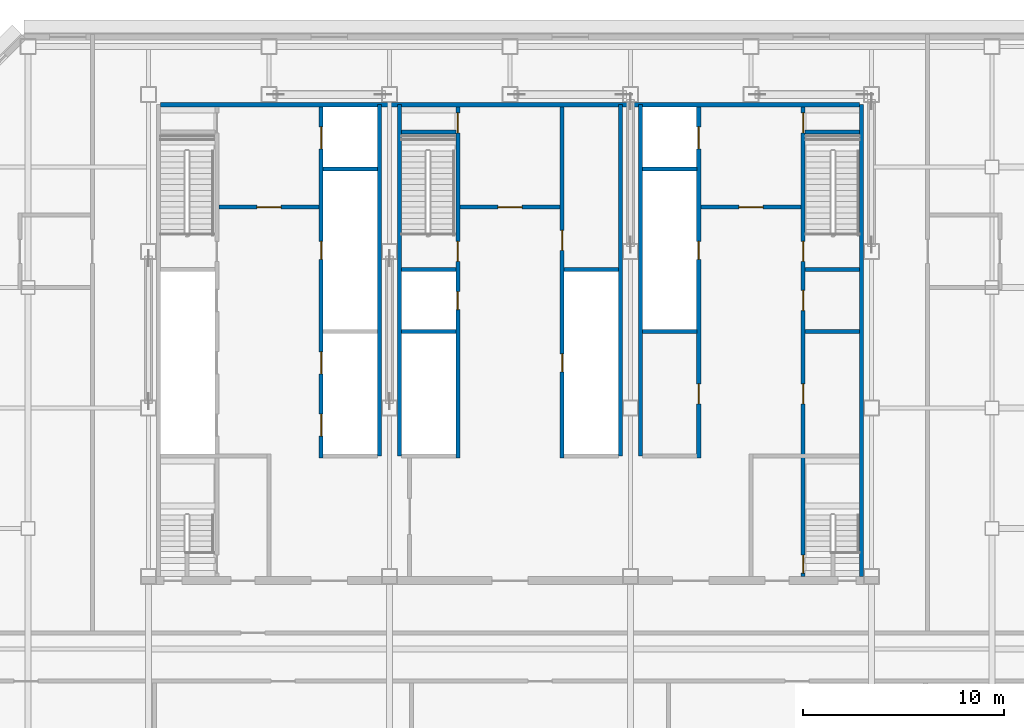
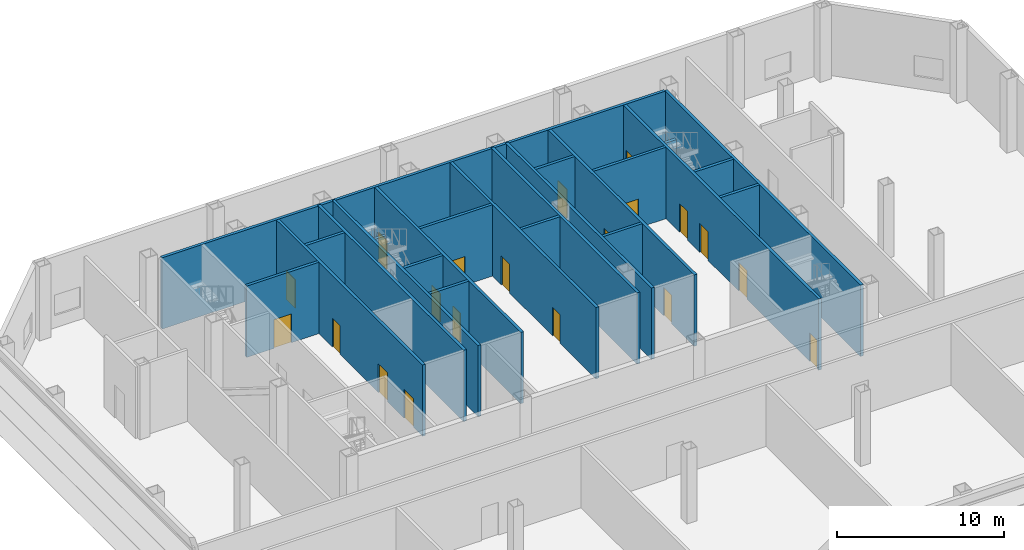
# One storey, part 5 of 10: 24 walls, 20 doors, 20 openings.
"""IFC4 building model written with IfcOpenShell, lengths in metres."""

from ifc_helpers import new_model, si_unit, direction, frame, frame_2d, origin, place, context, subcontext, project, spatial, rectangle, extrude, material, layer, layer_set, type_object, element, fill, save


model = new_model("IFC4")

# Units and contexts
model_context = context("Model", 3, precision=1e-05, world=origin(), true_north=direction((0.0, 1.0)))
body_context = subcontext(model_context, "Body", "Model", "MODEL_VIEW")
ifc_project = project(units=[si_unit("LENGTHUNIT", "METRE"), si_unit("AREAUNIT", "SQUARE_METRE"), si_unit("VOLUMEUNIT", "CUBIC_METRE"), si_unit("PLANEANGLEUNIT", "RADIAN"), si_unit("MASSUNIT", "GRAM", prefix="KILO")], contexts=[model_context])

# Site, building, storey
site_placement = place(None, origin())
site = spatial("IfcSite", under=ifc_project, at=site_placement, CompositionType="ELEMENT")
building_placement = place(site_placement, origin())
building = spatial("IfcBuilding", under=site, at=building_placement, Name="Sorahane Residences", CompositionType="ELEMENT")
storey_placement = place(building_placement, frame((0.0, 0.0, 138.39990234375)))
storey = spatial("IfcBuildingStorey", under=building, at=storey_placement, Name="L31", CompositionType="ELEMENT", Elevation=138.39990234375)

# Walls
ifc_material_1 = material(Name="Concrete C30", Category="concrete")
ifc_layer_1 = layer(ifc_material_1, 0.199951171875)
ifc_layer_set_1 = layer_set([ifc_layer_1], Name="Core face wall 200 EI 180")
wall_type_1 = type_object("IfcWallType", Name="Core face wall 200 EI 180", PredefinedType="SOLIDWALL", material=ifc_layer_set_1)
wall_1_placement = place(storey_placement, frame((41.5, 21.60009765625, 0.0), z_axis=(0.0, 0.0, 1.0), x_axis=(0.0, 1.0, 0.0)))
element("IfcWall", 1, at=wall_1_placement, inside=storey, type_object=wall_type_1, Name="L31 core face wall", PredefinedType="SOLIDWALL", context=body_context, shape_type="SweptSolid", body=[
    extrude(rectangle(XDim=23.5, YDim=0.199951171875, at=frame_2d((11.75, 0.0))), origin(), (0.0, 0.0, 1.0), 5.22021484375),
])
wall_2_placement = place(storey_placement, frame((6.60009765625, 45.10009765625, 0.0), z_axis=(0.0, 0.0, 1.0), x_axis=(1.0, 0.0, 0.0)))
element("IfcWall", 2, at=wall_2_placement, inside=storey, type_object=wall_type_1, Name="L31 core face wall", PredefinedType="SOLIDWALL", context=body_context, shape_type="SweptSolid", body=[
    extrude(rectangle(XDim=34.7998046875, YDim=0.199951171875, at=frame_2d((17.39990234375, 0.0))), origin(), (0.0, 0.0, 1.0), 5.22021484375),
])
for number, where, z_axis, x_axis, name in (
    (3, (17.5, 27.60009765625, 0.0), (0.0, 0.0, 1.0), (0.0, 1.0, 0.0), "L31 core face wall"),
    (4, (18.5, 27.60009765625, 0.0), (0.0, 0.0, 1.0), (0.0, 1.0, 0.0), "L31 core face wall"),
    (5, (29.5, 27.60009765625, 0.0), (0.0, 0.0, 1.0), (0.0, 1.0, 0.0), "L31 core face wall"),
    (6, (30.5, 27.60009765625, 0.0), (0.0, 0.0, 1.0), (0.0, 1.0, 0.0), "L31 core face wall"),
):
    element("IfcWall", number, at=place(storey_placement, frame(where, z_axis=z_axis, x_axis=x_axis)), inside=storey, type_object=wall_type_1, Name=name, PredefinedType="SOLIDWALL", context=body_context, shape_type="SweptSolid", body=[
        extrude(rectangle(XDim=17.5, YDim=0.199951171875, at=frame_2d((8.75, 0.0))), origin(), (0.0, 0.0, 1.0), 5.22021484375),
    ])

# Wall, opening, door
ifc_material_2 = material(Name="Concrete C30", Category="concrete")
ifc_layer_2 = layer(ifc_material_2, 0.199951171875)
ifc_layer_set_2 = layer_set([ifc_layer_2], Name="Front room wall 200 EI 120")
wall_type_2 = type_object("IfcWallType", Name="Front room wall 200 EI 120", PredefinedType="PARTITIONING", material=ifc_layer_set_2)
wall_3_placement = place(storey_placement, frame((21.5, 40.0, 0.0), z_axis=(0.0, 0.0, 1.0), x_axis=(1.0, 0.0, 0.0)))
wall_3 = element("IfcWall", 7, at=wall_3_placement, inside=storey, type_object=wall_type_2, Name="L31 front room wall", PredefinedType="PARTITIONING", context=body_context, shape_type="SweptSolid", body=[
    extrude(rectangle(XDim=5.0, YDim=0.199951171875, at=frame_2d((2.5, 0.0))), origin(), (0.0, 0.0, 1.0), 5.22021484375),
])
opening_1_placement = place(wall_3_placement, frame((1.89990234375, 0.0, 0.0)))
opening_1 = element("IfcOpeningElement", 8, at=opening_1_placement, cuts=wall_3, Name="Opening L31-C08", PredefinedType="OPENING", context=body_context, shape_type="SweptSolid", body=[
    extrude(rectangle(XDim=1.199951171875, YDim=2.10009765625, at=frame_2d((0.60009765625, 1.050048828125))), frame((0.0, 0.10986328125, 0.0), z_axis=(0.0, -1.0, 0.0), x_axis=(1.0, 0.0, 0.0)), (0.0, 0.0, 1.0), 0.219970703125),
])
ifc_material_3 = material(Name="Steel", Category="steel")
door_type_1 = type_object("IfcDoorType", Name="Front room door 1200x2100 FD120", OperationType="NOTDEFINED", PredefinedType="DOOR", material=ifc_material_3)
door_1_placement = place(opening_1_placement, frame((1.199951171875, 0.0, 0.0), z_axis=(0.0, 0.0, 1.0), x_axis=(-1.0, 0.0, 0.0)))
door_1 = element("IfcDoor", 9, at=door_1_placement, inside=storey, type_object=door_type_1, Name="Front room door Stair S3 vestibule L31", OperationType="DOUBLE_DOOR_SINGLE_SWING", OverallHeight=2.10009765625, OverallWidth=1.199951171875, PredefinedType="DOOR", context=body_context, shape_type="SweptSolid", body=[
    extrude(rectangle(XDim=1.199951171875, YDim=2.10009765625, at=frame_2d((0.60009765625, 1.050048828125))), frame((0.0, 0.02490234375, 0.0), z_axis=(0.0, -1.0, 0.0), x_axis=(1.0, 0.0, 0.0)), (0.0, 0.0, 1.0), 0.050048828125),
])
fill(opening_1, door_1)

wall_4_placement = place(storey_placement, frame((33.5, 40.0, 0.0), z_axis=(0.0, 0.0, 1.0), x_axis=(1.0, 0.0, 0.0)))
wall_4 = element("IfcWall", 10, at=wall_4_placement, inside=storey, type_object=wall_type_2, Name="L31 front room wall", PredefinedType="PARTITIONING", context=body_context, shape_type="SweptSolid", body=[
    extrude(rectangle(XDim=5.0, YDim=0.199951171875, at=frame_2d((2.5, 0.0))), origin(), (0.0, 0.0, 1.0), 5.22021484375),
])
opening_2_placement = place(wall_4_placement, frame((1.89990234375, 0.0, 0.0)))
opening_2 = element("IfcOpeningElement", 11, at=opening_2_placement, cuts=wall_4, Name="Opening L31-C09", PredefinedType="OPENING", context=body_context, shape_type="SweptSolid", body=[
    extrude(rectangle(XDim=1.199951171875, YDim=2.10009765625, at=frame_2d((0.60009765625, 1.050048828125))), frame((0.0, 0.10986328125, 0.0), z_axis=(0.0, -1.0, 0.0), x_axis=(1.0, 0.0, 0.0)), (0.0, 0.0, 1.0), 0.219970703125),
])
door_2_placement = place(opening_2_placement, frame((1.199951171875, 0.0, 0.0), z_axis=(0.0, 0.0, 1.0), x_axis=(-1.0, 0.0, 0.0)))
door_2 = element("IfcDoor", 12, at=door_2_placement, inside=storey, type_object=door_type_1, Name="Front room door Firefighting lobby FF2 front room L31", OperationType="DOUBLE_DOOR_SINGLE_SWING", OverallHeight=2.10009765625, OverallWidth=1.199951171875, PredefinedType="DOOR", context=body_context, shape_type="SweptSolid", body=[
    extrude(rectangle(XDim=1.199951171875, YDim=2.10009765625, at=frame_2d((0.60009765625, 1.050048828125))), frame((0.0, 0.02490234375, 0.0), z_axis=(0.0, -1.0, 0.0), x_axis=(1.0, 0.0, 0.0)), (0.0, 0.0, 1.0), 0.050048828125),
])
fill(opening_2, door_2)

wall_5_placement = place(storey_placement, frame((9.5, 40.0, 0.0), z_axis=(0.0, 0.0, 1.0), x_axis=(1.0, 0.0, 0.0)))
wall_5 = element("IfcWall", 13, at=wall_5_placement, inside=storey, type_object=wall_type_2, Name="L31 front room wall", PredefinedType="PARTITIONING", context=body_context, shape_type="SweptSolid", body=[
    extrude(rectangle(XDim=5.0, YDim=0.199951171875, at=frame_2d((2.5, 0.0))), origin(), (0.0, 0.0, 1.0), 5.22021484375),
])
opening_3_placement = place(wall_5_placement, frame((1.89990234375, 0.0, 0.0)))
opening_3 = element("IfcOpeningElement", 14, at=opening_3_placement, cuts=wall_5, Name="Opening L31-C07", PredefinedType="OPENING", context=body_context, shape_type="SweptSolid", body=[
    extrude(rectangle(XDim=1.199951171875, YDim=2.10009765625, at=frame_2d((0.60009765625, 1.050048828125))), frame((0.0, 0.10986328125, 0.0), z_axis=(0.0, -1.0, 0.0), x_axis=(1.0, 0.0, 0.0)), (0.0, 0.0, 1.0), 0.219970703125),
])
door_3_placement = place(opening_3_placement, frame((1.199951171875, 0.0, 0.0), z_axis=(0.0, 0.0, 1.0), x_axis=(-1.0, 0.0, 0.0)))
door_3 = element("IfcDoor", 15, at=door_3_placement, inside=storey, type_object=door_type_1, Name="Front room door Firefighting lobby FF1 front room L31", OperationType="DOUBLE_DOOR_SINGLE_SWING", OverallHeight=2.10009765625, OverallWidth=1.199951171875, PredefinedType="DOOR", context=body_context, shape_type="SweptSolid", body=[
    extrude(rectangle(XDim=1.199951171875, YDim=2.10009765625, at=frame_2d((0.60009765625, 1.050048828125))), frame((0.0, 0.02490234375, 0.0), z_axis=(0.0, -1.0, 0.0), x_axis=(1.0, 0.0, 0.0)), (0.0, 0.0, 1.0), 0.050048828125),
])
fill(opening_3, door_3)

# Wall, openings, doors
ifc_material_4 = material(Name="Concrete C30", Category="concrete")
ifc_layer_3 = layer(ifc_material_4, 0.199951171875)
ifc_layer_set_3 = layer_set([ifc_layer_3], Name="Lift shaft wall 200 EI 120")
wall_type_3 = type_object("IfcWallType", Name="Lift shaft wall 200 EI 120", PredefinedType="SOLIDWALL", material=ifc_layer_set_3)
wall_6_placement = place(storey_placement, frame((14.60009765625, 27.5, 0.0), z_axis=(0.0, 0.0, 1.0), x_axis=(0.0, 1.0, 0.0)))
wall_6 = element("IfcWall", 16, at=wall_6_placement, inside=storey, type_object=wall_type_3, Name="L31 lift shaft wall", PredefinedType="SOLIDWALL", context=body_context, shape_type="SweptSolid", body=[
    extrude(rectangle(XDim=17.5, YDim=0.199951171875, at=frame_2d((8.75, 0.0))), origin(), (0.0, 0.0, 1.0), 5.22021484375),
])
opening_4_placement = place(wall_6_placement, frame((1.10009765625, 0.0, 0.0)))
opening_4 = element("IfcOpeningElement", 17, at=opening_4_placement, cuts=wall_6, Name="Opening L31-C11", PredefinedType="OPENING", context=body_context, shape_type="SweptSolid", body=[
    extrude(rectangle(XDim=1.10009765625, YDim=2.10009765625, at=frame_2d((0.550048828125, 1.050048828125))), frame((0.0, 0.10986328125, 0.0), z_axis=(0.0, -1.0, 0.0), x_axis=(1.0, 0.0, 0.0)), (0.0, 0.0, 1.0), 0.219970703125),
])
opening_5_placement = place(wall_6_placement, frame((4.199951171875, 0.0, 0.0)))
opening_5 = element("IfcOpeningElement", 18, at=opening_5_placement, cuts=wall_6, Name="Opening L31-C12", PredefinedType="OPENING", context=body_context, shape_type="SweptSolid", body=[
    extrude(rectangle(XDim=1.10009765625, YDim=2.10009765625, at=frame_2d((0.550048828125, 1.050048828125))), frame((0.0, 0.10986328125, 0.0), z_axis=(0.0, -1.0, 0.0), x_axis=(1.0, 0.0, 0.0)), (0.0, 0.0, 1.0), 0.219970703125),
])
opening_6_placement = place(wall_6_placement, frame((15.39990234375, 0.0, 0.0)))
opening_6 = element("IfcOpeningElement", 19, at=opening_6_placement, cuts=wall_6, Name="Opening L31-C13", PredefinedType="OPENING", context=body_context, shape_type="SweptSolid", body=[
    extrude(rectangle(XDim=1.10009765625, YDim=2.10009765625, at=frame_2d((0.550048828125, 1.050048828125))), frame((0.0, 0.10986328125, 0.0), z_axis=(0.0, -1.0, 0.0), x_axis=(1.0, 0.0, 0.0)), (0.0, 0.0, 1.0), 0.219970703125),
])
opening_7_placement = place(wall_6_placement, frame((9.89990234375, 0.0, 0.0)))
opening_7 = element("IfcOpeningElement", 20, at=opening_7_placement, cuts=wall_6, Name="Opening L31-C30", PredefinedType="OPENING", context=body_context, shape_type="SweptSolid", body=[
    extrude(rectangle(XDim=0.89990234375, YDim=2.10009765625, at=frame_2d((0.449951171875, 1.050048828125))), frame((0.0, 0.10986328125, 0.0), z_axis=(0.0, -1.0, 0.0), x_axis=(1.0, 0.0, 0.0)), (0.0, 0.0, 1.0), 0.219970703125),
])
ifc_material_5 = material(Name="Aluminium and stainless steel", Category="steel")
door_type_2 = type_object("IfcDoorType", Name="Lift landing door 1100x2100 E 60", OperationType="NOTDEFINED", PredefinedType="DOOR", material=ifc_material_5)
door_4_placement = place(opening_4_placement, origin())
door_4 = element("IfcDoor", 21, at=door_4_placement, inside=storey, type_object=door_type_2, Name="Lift landing door LR4 L31", OperationType="DOUBLE_DOOR_SLIDING", OverallHeight=2.10009765625, OverallWidth=1.10009765625, PredefinedType="DOOR", context=body_context, shape_type="SweptSolid", body=[
    extrude(rectangle(XDim=1.10009765625, YDim=2.10009765625, at=frame_2d((0.550048828125, 1.050048828125))), frame((0.0, 0.02490234375, 0.0), z_axis=(0.0, -1.0, 0.0), x_axis=(1.0, 0.0, 0.0)), (0.0, 0.0, 1.0), 0.050048828125),
])
fill(opening_4, door_4)
door_5_placement = place(opening_5_placement, origin())
door_5 = element("IfcDoor", 22, at=door_5_placement, inside=storey, type_object=door_type_2, Name="Lift landing door LR5 L31", OperationType="DOUBLE_DOOR_SLIDING", OverallHeight=2.10009765625, OverallWidth=1.10009765625, PredefinedType="DOOR", context=body_context, shape_type="SweptSolid", body=[
    extrude(rectangle(XDim=1.10009765625, YDim=2.10009765625, at=frame_2d((0.550048828125, 1.050048828125))), frame((0.0, 0.02490234375, 0.0), z_axis=(0.0, -1.0, 0.0), x_axis=(1.0, 0.0, 0.0)), (0.0, 0.0, 1.0), 0.050048828125),
])
fill(opening_5, door_5)
door_6_placement = place(opening_6_placement, origin())
door_6 = element("IfcDoor", 23, at=door_6_placement, inside=storey, type_object=door_type_2, Name="Lift landing door FF1 L31", OperationType="DOUBLE_DOOR_SLIDING", OverallHeight=2.10009765625, OverallWidth=1.10009765625, PredefinedType="DOOR", context=body_context, shape_type="SweptSolid", body=[
    extrude(rectangle(XDim=1.10009765625, YDim=2.10009765625, at=frame_2d((0.550048828125, 1.050048828125))), frame((0.0, 0.02490234375, 0.0), z_axis=(0.0, -1.0, 0.0), x_axis=(1.0, 0.0, 0.0)), (0.0, 0.0, 1.0), 0.050048828125),
])
fill(opening_6, door_6)
ifc_material_6 = material(Name="Steel", Category="steel")
door_type_3 = type_object("IfcDoorType", Name="Riser door 900x2100 FD120", OperationType="NOTDEFINED", PredefinedType="DOOR", material=ifc_material_6)
door_7_placement = place(opening_7_placement, origin())
door_7 = element("IfcDoor", 24, at=door_7_placement, inside=storey, type_object=door_type_3, Name="Riser door R1 L31", OperationType="SINGLE_SWING_LEFT", OverallHeight=2.10009765625, OverallWidth=0.89990234375, PredefinedType="DOOR", context=body_context, shape_type="SweptSolid", body=[
    extrude(rectangle(XDim=0.89990234375, YDim=2.10009765625, at=frame_2d((0.449951171875, 1.050048828125))), frame((0.0, 0.02490234375, 0.0), z_axis=(0.0, -1.0, 0.0), x_axis=(1.0, 0.0, 0.0)), (0.0, 0.0, 1.0), 0.050048828125),
])
fill(opening_7, door_7)

wall_7_placement = place(storey_placement, frame((33.39990234375, 27.5, 0.0), z_axis=(0.0, 0.0, 1.0), x_axis=(0.0, 1.0, 0.0)))
wall_7 = element("IfcWall", 25, at=wall_7_placement, inside=storey, type_object=wall_type_3, Name="L31 lift shaft wall", PredefinedType="SOLIDWALL", context=body_context, shape_type="SweptSolid", body=[
    extrude(rectangle(XDim=17.5, YDim=0.199951171875, at=frame_2d((8.75, 0.0))), origin(), (0.0, 0.0, 1.0), 5.22021484375),
])
opening_8_placement = place(wall_7_placement, frame((15.39990234375, 0.0, 0.0)))
opening_8 = element("IfcOpeningElement", 26, at=opening_8_placement, cuts=wall_7, Name="Opening L31-C10", PredefinedType="OPENING", context=body_context, shape_type="SweptSolid", body=[
    extrude(rectangle(XDim=1.10009765625, YDim=2.10009765625, at=frame_2d((0.550048828125, 1.050048828125))), frame((0.0, 0.10986328125, 0.0), z_axis=(0.0, -1.0, 0.0), x_axis=(1.0, 0.0, 0.0)), (0.0, 0.0, 1.0), 0.219970703125),
])
opening_9_placement = place(wall_7_placement, frame((2.699951171875, 0.0, 0.0)))
opening_9 = element("IfcOpeningElement", 27, at=opening_9_placement, cuts=wall_7, Name="Opening L31-C19", PredefinedType="OPENING", context=body_context, shape_type="SweptSolid", body=[
    extrude(rectangle(XDim=1.0, YDim=2.10009765625, at=frame_2d((0.5, 1.050048828125))), frame((0.0, 0.10986328125, 0.0), z_axis=(0.0, -1.0, 0.0), x_axis=(1.0, 0.0, 0.0)), (0.0, 0.0, 1.0), 0.219970703125),
])
opening_10_placement = place(wall_7_placement, frame((9.89990234375, 0.0, 0.0)))
opening_10 = element("IfcOpeningElement", 28, at=opening_10_placement, cuts=wall_7, Name="Opening L31-C31", PredefinedType="OPENING", context=body_context, shape_type="SweptSolid", body=[
    extrude(rectangle(XDim=0.89990234375, YDim=2.10009765625, at=frame_2d((0.449951171875, 1.050048828125))), frame((0.0, 0.10986328125, 0.0), z_axis=(0.0, -1.0, 0.0), x_axis=(1.0, 0.0, 0.0)), (0.0, 0.0, 1.0), 0.219970703125),
])
door_8_placement = place(opening_8_placement, origin())
door_8 = element("IfcDoor", 29, at=door_8_placement, inside=storey, type_object=door_type_2, Name="Lift landing door FF2 L31", OperationType="DOUBLE_DOOR_SLIDING", OverallHeight=2.10009765625, OverallWidth=1.10009765625, PredefinedType="DOOR", context=body_context, shape_type="SweptSolid", body=[
    extrude(rectangle(XDim=1.10009765625, YDim=2.10009765625, at=frame_2d((0.550048828125, 1.050048828125))), frame((0.0, 0.02490234375, 0.0), z_axis=(0.0, -1.0, 0.0), x_axis=(1.0, 0.0, 0.0)), (0.0, 0.0, 1.0), 0.050048828125),
])
fill(opening_8, door_8)
door_9_placement = place(opening_10_placement, frame((0.89990234375, 0.0, 0.0), z_axis=(0.0, 0.0, 1.0), x_axis=(-1.0, 0.0, 0.0)))
door_9 = element("IfcDoor", 30, at=door_9_placement, inside=storey, type_object=door_type_3, Name="Riser door R2 L31", OperationType="SINGLE_SWING_LEFT", OverallHeight=2.10009765625, OverallWidth=0.89990234375, PredefinedType="DOOR", context=body_context, shape_type="SweptSolid", body=[
    extrude(rectangle(XDim=0.89990234375, YDim=2.10009765625, at=frame_2d((0.449951171875, 1.050048828125))), frame((0.0, 0.02490234375, 0.0), z_axis=(0.0, -1.0, 0.0), x_axis=(1.0, 0.0, 0.0)), (0.0, 0.0, 1.0), 0.050048828125),
])
fill(opening_10, door_9)
ifc_material_7 = material(Name="Steel", Category="steel")
door_type_4 = type_object("IfcDoorType", Name="Service room door 1000x2100 FD60", OperationType="NOTDEFINED", PredefinedType="DOOR", material=ifc_material_7)
door_10_placement = place(opening_9_placement, origin())
door_10 = element("IfcDoor", 31, at=door_10_placement, inside=storey, type_object=door_type_4, Name="Service room door Audio room L31", OperationType="SINGLE_SWING_RIGHT", OverallHeight=2.10009765625, OverallWidth=1.0, PredefinedType="DOOR", context=body_context, shape_type="SweptSolid", body=[
    extrude(rectangle(XDim=1.0, YDim=2.10009765625, at=frame_2d((0.5, 1.050048828125))), frame((0.0, 0.02490234375, 0.0), z_axis=(0.0, -1.0, 0.0), x_axis=(1.0, 0.0, 0.0)), (0.0, 0.0, 1.0), 0.050048828125),
])
fill(opening_9, door_10)

# Walls
for number, where, z_axis, x_axis, name in (
    (32, (18.60009765625, 33.800048828125, 0.0), (0.0, 0.0, 1.0), (1.0, 0.0, 0.0), "L31 lift shaft wall"),
    (33, (14.699951171875, 41.89990234375, 0.0), (0.0, 0.0, 1.0), (1.0, 0.0, 0.0), "L31 lift shaft wall"),
    (34, (30.60009765625, 41.89990234375, 0.0), (0.0, 0.0, 1.0), (1.0, 0.0, 0.0), "L31 lift shaft wall"),
):
    element("IfcWall", number, at=place(storey_placement, frame(where, z_axis=z_axis, x_axis=x_axis)), inside=storey, type_object=wall_type_3, Name=name, PredefinedType="SOLIDWALL", context=body_context, shape_type="SweptSolid", body=[
        extrude(rectangle(XDim=2.699951171875, YDim=0.199951171875, at=frame_2d((1.35009765625, 0.0))), origin(), (0.0, 0.0, 1.0), 5.22021484375),
    ])

# Wall, openings, doors
ifc_material_8 = material(Name="Concrete C30", Category="concrete")
ifc_layer_4 = layer(ifc_material_8, 0.199951171875)
ifc_layer_set_4 = layer_set([ifc_layer_4], Name="Riser shaft wall 200 EI 120")
wall_type_4 = type_object("IfcWallType", Name="Riser shaft wall 200 EI 120", PredefinedType="SOLIDWALL", material=ifc_layer_set_4)
wall_8_placement = place(storey_placement, frame((26.60009765625, 27.5, 0.0), z_axis=(0.0, 0.0, 1.0), x_axis=(0.0, 1.0, 0.0)))
wall_8 = element("IfcWall", 35, at=wall_8_placement, inside=storey, type_object=wall_type_4, Name="L31 riser wall", PredefinedType="SOLIDWALL", context=body_context, shape_type="SweptSolid", body=[
    extrude(rectangle(XDim=17.5, YDim=0.199951171875, at=frame_2d((8.75, 0.0))), origin(), (0.0, 0.0, 1.0), 5.22021484375),
])
opening_11_placement = place(wall_8_placement, frame((4.300048828125, 0.0, 0.0)))
opening_11 = element("IfcOpeningElement", 36, at=opening_11_placement, cuts=wall_8, Name="Opening L31-C33", PredefinedType="OPENING", context=body_context, shape_type="SweptSolid", body=[
    extrude(rectangle(XDim=0.89990234375, YDim=2.10009765625, at=frame_2d((0.449951171875, 1.050048828125))), frame((0.0, 0.10986328125, 0.0), z_axis=(0.0, -1.0, 0.0), x_axis=(1.0, 0.0, 0.0)), (0.0, 0.0, 1.0), 0.219970703125),
])
opening_12_placement = place(wall_8_placement, frame((10.35009765625, 0.0, 0.0)))
opening_12 = element("IfcOpeningElement", 37, at=opening_12_placement, cuts=wall_8, Name="Opening L31-C34", PredefinedType="OPENING", context=body_context, shape_type="SweptSolid", body=[
    extrude(rectangle(XDim=1.0, YDim=2.10009765625, at=frame_2d((0.5, 1.050048828125))), frame((0.0, 0.10986328125, 0.0), z_axis=(0.0, -1.0, 0.0), x_axis=(1.0, 0.0, 0.0)), (0.0, 0.0, 1.0), 0.219970703125),
])
door_11_placement = place(opening_11_placement, origin())
door_11 = element("IfcDoor", 38, at=door_11_placement, inside=storey, type_object=door_type_3, Name="Riser door R4 L31", OperationType="SINGLE_SWING_LEFT", OverallHeight=2.10009765625, OverallWidth=0.89990234375, PredefinedType="DOOR", context=body_context, shape_type="SweptSolid", body=[
    extrude(rectangle(XDim=0.89990234375, YDim=2.10009765625, at=frame_2d((0.449951171875, 1.050048828125))), frame((0.0, 0.02490234375, 0.0), z_axis=(0.0, -1.0, 0.0), x_axis=(1.0, 0.0, 0.0)), (0.0, 0.0, 1.0), 0.050048828125),
])
fill(opening_11, door_11)
door_12_placement = place(opening_12_placement, frame((1.0, 0.0, 0.0), z_axis=(0.0, 0.0, 1.0), x_axis=(-1.0, 0.0, 0.0)))
door_12 = element("IfcDoor", 39, at=door_12_placement, inside=storey, type_object=door_type_4, Name="Service room door Housekeeping store L31", OperationType="SINGLE_SWING_LEFT", OverallHeight=2.10009765625, OverallWidth=1.0, PredefinedType="DOOR", context=body_context, shape_type="SweptSolid", body=[
    extrude(rectangle(XDim=1.0, YDim=2.10009765625, at=frame_2d((0.5, 1.050048828125))), frame((0.0, 0.02490234375, 0.0), z_axis=(0.0, -1.0, 0.0), x_axis=(1.0, 0.0, 0.0)), (0.0, 0.0, 1.0), 0.050048828125),
])
fill(opening_12, door_12)

# Walls
for number, where, z_axis, x_axis, name in (
    (40, (30.60009765625, 33.800048828125, 0.0), (0.0, 0.0, 1.0), (1.0, 0.0, 0.0), "L31 riser wall"),
    (41, (26.699951171875, 36.89990234375, 0.0), (0.0, 0.0, 1.0), (1.0, 0.0, 0.0), "L31 riser wall"),
):
    element("IfcWall", number, at=place(storey_placement, frame(where, z_axis=z_axis, x_axis=x_axis)), inside=storey, type_object=wall_type_4, Name=name, PredefinedType="SOLIDWALL", context=body_context, shape_type="SweptSolid", body=[
        extrude(rectangle(XDim=2.699951171875, YDim=0.199951171875, at=frame_2d((1.35009765625, 0.0))), origin(), (0.0, 0.0, 1.0), 5.22021484375),
    ])
ifc_material_9 = material(Name="Concrete C30", Category="concrete")
ifc_layer_5 = layer(ifc_material_9, 0.199951171875)
ifc_layer_set_5 = layer_set([ifc_layer_5], Name="Service room partition 200 EI 60")
wall_type_5 = type_object("IfcWallType", Name="Service room partition 200 EI 60", PredefinedType="PARTITIONING", material=ifc_layer_set_5)
wall_9_placement = place(storey_placement, frame((38.699951171875, 33.800048828125, 0.0), z_axis=(0.0, 0.0, 1.0), x_axis=(1.0, 0.0, 0.0)))
element("IfcWall", 42, at=wall_9_placement, inside=storey, type_object=wall_type_5, Name="L31 service room wall", PredefinedType="PARTITIONING", context=body_context, shape_type="SweptSolid", body=[
    extrude(rectangle(XDim=2.699951171875, YDim=0.199951171875, at=frame_2d((1.35009765625, 0.0))), origin(), (0.0, 0.0, 1.0), 5.22021484375),
])

# Wall, openings, doors
ifc_material_10 = material(Name="Concrete C30", Category="concrete")
ifc_layer_6 = layer(ifc_material_10, 0.199951171875)
ifc_layer_set_6 = layer_set([ifc_layer_6], Name="Stair enclosure wall 200 EI 120")
wall_type_6 = type_object("IfcWallType", Name="Stair enclosure wall 200 EI 120", PredefinedType="SOLIDWALL", material=ifc_layer_set_6)
wall_10_placement = place(storey_placement, frame((21.39990234375, 27.5, 0.0), z_axis=(0.0, 0.0, 1.0), x_axis=(0.0, 1.0, 0.0)))
wall_10 = element("IfcWall", 43, at=wall_10_placement, inside=storey, type_object=wall_type_6, Name="L31 stair enclosure wall", PredefinedType="SOLIDWALL", context=body_context, shape_type="SweptSolid", body=[
    extrude(rectangle(XDim=17.5, YDim=0.199951171875, at=frame_2d((8.75, 0.0))), origin(), (0.0, 0.0, 1.0), 5.22021484375),
])
opening_13_placement = place(wall_10_placement, frame((16.199951171875, 0.0, 0.0)))
opening_13 = element("IfcOpeningElement", 44, at=opening_13_placement, cuts=wall_10, Name="Opening L31-C24", PredefinedType="OPENING", context=body_context, shape_type="SweptSolid", body=[
    extrude(rectangle(XDim=1.0, YDim=2.10009765625, at=frame_2d((0.5, 1.050048828125))), frame((0.0, 0.10986328125, 0.0), z_axis=(0.0, -1.0, 0.0), x_axis=(1.0, 0.0, 0.0)), (0.0, 0.0, 1.0), 0.219970703125),
])
opening_14_placement = place(wall_10_placement, frame((9.800048828125, 0.0, 0.0)))
opening_14 = element("IfcOpeningElement", 45, at=opening_14_placement, cuts=wall_10, Name="Opening L31-C25", PredefinedType="OPENING", context=body_context, shape_type="SweptSolid", body=[
    extrude(rectangle(XDim=1.0, YDim=2.10009765625, at=frame_2d((0.5, 1.050048828125))), frame((0.0, 0.10986328125, 0.0), z_axis=(0.0, -1.0, 0.0), x_axis=(1.0, 0.0, 0.0)), (0.0, 0.0, 1.0), 0.219970703125),
])
opening_15_placement = place(wall_10_placement, frame((7.39990234375, 0.0, 0.0)))
opening_15 = element("IfcOpeningElement", 46, at=opening_15_placement, cuts=wall_10, Name="Opening L31-C32", PredefinedType="OPENING", context=body_context, shape_type="SweptSolid", body=[
    extrude(rectangle(XDim=0.89990234375, YDim=2.10009765625, at=frame_2d((0.449951171875, 1.050048828125))), frame((0.0, 0.10986328125, 0.0), z_axis=(0.0, -1.0, 0.0), x_axis=(1.0, 0.0, 0.0)), (0.0, 0.0, 1.0), 0.219970703125),
])
ifc_material_11 = material(Name="Steel", Category="steel")
door_type_5 = type_object("IfcDoorType", Name="Refuge stair door 1000x2100 FD120", OperationType="NOTDEFINED", PredefinedType="DOOR", material=ifc_material_11)
door_13_placement = place(opening_13_placement, origin())
door_13 = element("IfcDoor", 47, at=door_13_placement, inside=storey, type_object=door_type_5, Name="Refuge stair door S3 L31", OperationType="SINGLE_SWING_LEFT", OverallHeight=2.10009765625, OverallWidth=1.0, PredefinedType="DOOR", context=body_context, shape_type="SweptSolid", body=[
    extrude(rectangle(XDim=1.0, YDim=2.10009765625, at=frame_2d((0.5, 1.050048828125))), frame((0.0, 0.02490234375, 0.0), z_axis=(0.0, -1.0, 0.0), x_axis=(1.0, 0.0, 0.0)), (0.0, 0.0, 1.0), 0.050048828125),
])
fill(opening_13, door_13)
door_14_placement = place(opening_14_placement, origin())
door_14 = element("IfcDoor", 48, at=door_14_placement, inside=storey, type_object=door_type_5, Name="Refuge stair door S3 L31", OperationType="SINGLE_SWING_LEFT", OverallHeight=2.10009765625, OverallWidth=1.0, PredefinedType="DOOR", context=body_context, shape_type="SweptSolid", body=[
    extrude(rectangle(XDim=1.0, YDim=2.10009765625, at=frame_2d((0.5, 1.050048828125))), frame((0.0, 0.02490234375, 0.0), z_axis=(0.0, -1.0, 0.0), x_axis=(1.0, 0.0, 0.0)), (0.0, 0.0, 1.0), 0.050048828125),
])
fill(opening_14, door_14)
door_15_placement = place(opening_15_placement, frame((0.89990234375, 0.0, 0.0), z_axis=(0.0, 0.0, 1.0), x_axis=(-1.0, 0.0, 0.0)))
door_15 = element("IfcDoor", 49, at=door_15_placement, inside=storey, type_object=door_type_3, Name="Riser door R3 L31", OperationType="SINGLE_SWING_LEFT", OverallHeight=2.10009765625, OverallWidth=0.89990234375, PredefinedType="DOOR", context=body_context, shape_type="SweptSolid", body=[
    extrude(rectangle(XDim=0.89990234375, YDim=2.10009765625, at=frame_2d((0.449951171875, 1.050048828125))), frame((0.0, 0.02490234375, 0.0), z_axis=(0.0, -1.0, 0.0), x_axis=(1.0, 0.0, 0.0)), (0.0, 0.0, 1.0), 0.050048828125),
])
fill(opening_15, door_15)

wall_11_placement = place(storey_placement, frame((38.60009765625, 21.60009765625, 0.0), z_axis=(0.0, 0.0, 1.0), x_axis=(0.0, 1.0, 0.0)))
wall_11 = element("IfcWall", 50, at=wall_11_placement, inside=storey, type_object=wall_type_6, Name="L31 stair enclosure wall", PredefinedType="SOLIDWALL", context=body_context, shape_type="SweptSolid", body=[
    extrude(rectangle(XDim=23.39990234375, YDim=0.199951171875, at=frame_2d((11.699951171875, 0.0))), origin(), (0.0, 0.0, 1.0), 5.22021484375),
])
opening_16_placement = place(wall_11_placement, frame((8.60009765625, 0.0, 0.0)))
opening_16 = element("IfcOpeningElement", 51, at=opening_16_placement, cuts=wall_11, Name="Opening L31-C17", PredefinedType="OPENING", context=body_context, shape_type="SweptSolid", body=[
    extrude(rectangle(XDim=1.0, YDim=2.10009765625, at=frame_2d((0.5, 1.050048828125))), frame((0.0, 0.10986328125, 0.0), z_axis=(0.0, -1.0, 0.0), x_axis=(1.0, 0.0, 0.0)), (0.0, 0.0, 1.0), 0.219970703125),
])
opening_17_placement = place(wall_11_placement, frame((13.25, 0.0, 0.0)))
opening_17 = element("IfcOpeningElement", 52, at=opening_17_placement, cuts=wall_11, Name="Opening L31-C18", PredefinedType="OPENING", context=body_context, shape_type="SweptSolid", body=[
    extrude(rectangle(XDim=1.0, YDim=2.10009765625, at=frame_2d((0.5, 1.050048828125))), frame((0.0, 0.10986328125, 0.0), z_axis=(0.0, -1.0, 0.0), x_axis=(1.0, 0.0, 0.0)), (0.0, 0.0, 1.0), 0.219970703125),
])
opening_18_placement = place(wall_11_placement, frame((22.10009765625, 0.0, 0.0)))
opening_18 = element("IfcOpeningElement", 53, at=opening_18_placement, cuts=wall_11, Name="Opening L31-C22", PredefinedType="OPENING", context=body_context, shape_type="SweptSolid", body=[
    extrude(rectangle(XDim=1.0, YDim=2.10009765625, at=frame_2d((0.5, 1.050048828125))), frame((0.0, 0.10986328125, 0.0), z_axis=(0.0, -1.0, 0.0), x_axis=(1.0, 0.0, 0.0)), (0.0, 0.0, 1.0), 0.219970703125),
])
opening_19_placement = place(wall_11_placement, frame((15.699951171875, 0.0, 0.0)))
opening_19 = element("IfcOpeningElement", 54, at=opening_19_placement, cuts=wall_11, Name="Opening L31-C23", PredefinedType="OPENING", context=body_context, shape_type="SweptSolid", body=[
    extrude(rectangle(XDim=1.0, YDim=2.10009765625, at=frame_2d((0.5, 1.050048828125))), frame((0.0, 0.10986328125, 0.0), z_axis=(0.0, -1.0, 0.0), x_axis=(1.0, 0.0, 0.0)), (0.0, 0.0, 1.0), 0.219970703125),
])
opening_20_placement = place(wall_11_placement, frame((0.175048828125, 0.0, 0.0)))
opening_20 = element("IfcOpeningElement", 55, at=opening_20_placement, cuts=wall_11, Name="Opening L31-C28", PredefinedType="OPENING", context=body_context, shape_type="SweptSolid", body=[
    extrude(rectangle(XDim=0.89990234375, YDim=2.10009765625, at=frame_2d((0.449951171875, 1.050048828125))), frame((0.0, 0.10986328125, 0.0), z_axis=(0.0, -1.0, 0.0), x_axis=(1.0, 0.0, 0.0)), (0.0, 0.0, 1.0), 0.219970703125),
])
door_16_placement = place(opening_18_placement, frame((1.0, 0.0, 0.0), z_axis=(0.0, 0.0, 1.0), x_axis=(-1.0, 0.0, 0.0)))
door_16 = element("IfcDoor", 56, at=door_16_placement, inside=storey, type_object=door_type_5, Name="Refuge stair door S2 L31", OperationType="SINGLE_SWING_LEFT", OverallHeight=2.10009765625, OverallWidth=1.0, PredefinedType="DOOR", context=body_context, shape_type="SweptSolid", body=[
    extrude(rectangle(XDim=1.0, YDim=2.10009765625, at=frame_2d((0.5, 1.050048828125))), frame((0.0, 0.02490234375, 0.0), z_axis=(0.0, -1.0, 0.0), x_axis=(1.0, 0.0, 0.0)), (0.0, 0.0, 1.0), 0.050048828125),
])
fill(opening_18, door_16)
door_17_placement = place(opening_19_placement, frame((1.0, 0.0, 0.0), z_axis=(0.0, 0.0, 1.0), x_axis=(-1.0, 0.0, 0.0)))
door_17 = element("IfcDoor", 57, at=door_17_placement, inside=storey, type_object=door_type_5, Name="Refuge stair door S2 L31", OperationType="SINGLE_SWING_LEFT", OverallHeight=2.10009765625, OverallWidth=1.0, PredefinedType="DOOR", context=body_context, shape_type="SweptSolid", body=[
    extrude(rectangle(XDim=1.0, YDim=2.10009765625, at=frame_2d((0.5, 1.050048828125))), frame((0.0, 0.02490234375, 0.0), z_axis=(0.0, -1.0, 0.0), x_axis=(1.0, 0.0, 0.0)), (0.0, 0.0, 1.0), 0.050048828125),
])
fill(opening_19, door_17)
ifc_material_12 = material(Name="Steel", Category="steel")
door_type_6 = type_object("IfcDoorType", Name="Refuge stair door 900x2100 FD120", OperationType="NOTDEFINED", PredefinedType="DOOR", material=ifc_material_12)
door_18_placement = place(opening_20_placement, frame((0.89990234375, 0.0, 0.0), z_axis=(0.0, 0.0, 1.0), x_axis=(-1.0, 0.0, 0.0)))
door_18 = element("IfcDoor", 58, at=door_18_placement, inside=storey, type_object=door_type_6, Name="Refuge stair door S5 L31", OperationType="SINGLE_SWING_LEFT", OverallHeight=2.10009765625, OverallWidth=0.89990234375, PredefinedType="DOOR", context=body_context, shape_type="SweptSolid", body=[
    extrude(rectangle(XDim=0.89990234375, YDim=2.10009765625, at=frame_2d((0.449951171875, 1.050048828125))), frame((0.0, 0.02490234375, 0.0), z_axis=(0.0, -1.0, 0.0), x_axis=(1.0, 0.0, 0.0)), (0.0, 0.0, 1.0), 0.050048828125),
])
fill(opening_20, door_18)
door_19_placement = place(opening_16_placement, frame((1.0, 0.0, 0.0), z_axis=(0.0, 0.0, 1.0), x_axis=(-1.0, 0.0, 0.0)))
door_19 = element("IfcDoor", 59, at=door_19_placement, inside=storey, type_object=door_type_4, Name="Service room door Audio room L31", OperationType="SINGLE_SWING_RIGHT", OverallHeight=2.10009765625, OverallWidth=1.0, PredefinedType="DOOR", context=body_context, shape_type="SweptSolid", body=[
    extrude(rectangle(XDim=1.0, YDim=2.10009765625, at=frame_2d((0.5, 1.050048828125))), frame((0.0, 0.02490234375, 0.0), z_axis=(0.0, -1.0, 0.0), x_axis=(1.0, 0.0, 0.0)), (0.0, 0.0, 1.0), 0.050048828125),
])
fill(opening_16, door_19)
door_20_placement = place(opening_17_placement, frame((1.0, 0.0, 0.0), z_axis=(0.0, 0.0, 1.0), x_axis=(-1.0, 0.0, 0.0)))
door_20 = element("IfcDoor", 60, at=door_20_placement, inside=storey, type_object=door_type_4, Name="Service room door Valet store L31", OperationType="SINGLE_SWING_LEFT", OverallHeight=2.10009765625, OverallWidth=1.0, PredefinedType="DOOR", context=body_context, shape_type="SweptSolid", body=[
    extrude(rectangle(XDim=1.0, YDim=2.10009765625, at=frame_2d((0.5, 1.050048828125))), frame((0.0, 0.02490234375, 0.0), z_axis=(0.0, -1.0, 0.0), x_axis=(1.0, 0.0, 0.0)), (0.0, 0.0, 1.0), 0.050048828125),
])
fill(opening_17, door_20)

# Walls
for number, where, z_axis, x_axis, name in (
    (61, (18.60009765625, 36.89990234375, 0.0), (0.0, 0.0, 1.0), (1.0, 0.0, 0.0), "L31 stair enclosure wall"),
    (62, (38.699951171875, 36.89990234375, 0.0), (0.0, 0.0, 1.0), (1.0, 0.0, 0.0), "L31 stair enclosure wall"),
):
    element("IfcWall", number, at=place(storey_placement, frame(where, z_axis=z_axis, x_axis=x_axis)), inside=storey, type_object=wall_type_6, Name=name, PredefinedType="SOLIDWALL", context=body_context, shape_type="SweptSolid", body=[
        extrude(rectangle(XDim=2.699951171875, YDim=0.199951171875, at=frame_2d((1.35009765625, 0.0))), origin(), (0.0, 0.0, 1.0), 5.22021484375),
    ])
for number, where, z_axis, x_axis, name in (
    (63, (18.60009765625, 43.75, 0.0), (0.0, 0.0, 1.0), (1.0, 0.0, 0.0), "L31 stair enclosure wall"),
    (64, (38.699951171875, 43.75, 0.0), (0.0, 0.0, 1.0), (1.0, 0.0, 0.0), "L31 stair enclosure wall"),
):
    element("IfcWall", number, at=place(storey_placement, frame(where, z_axis=z_axis, x_axis=x_axis)), inside=storey, type_object=wall_type_6, Name=name, PredefinedType="SOLIDWALL", context=body_context, shape_type="SweptSolid", body=[
        extrude(rectangle(XDim=2.699951171875, YDim=0.199951171875, at=frame_2d((1.35009765625, 0.0))), origin(), (0.0, 0.0, 1.0), 2.5),
    ])

save(model, "model.ifc")
